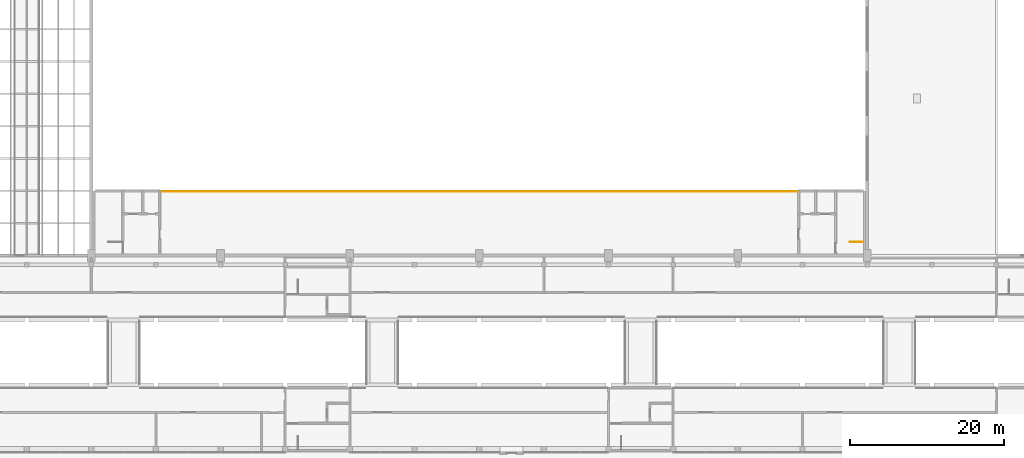
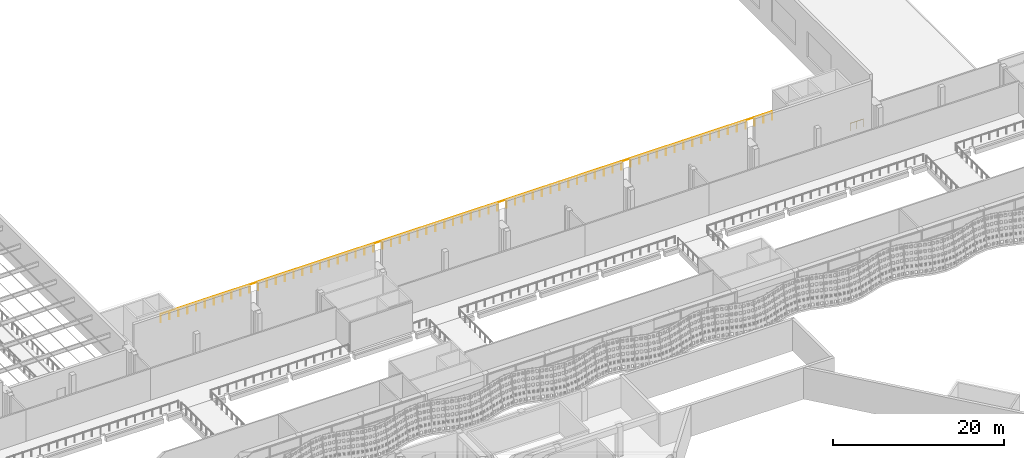
# One storey, part 153 of 162: 2 railings.
"""IFC4 building model written with IfcOpenShell, lengths in metres."""

from ifc_helpers import new_model, si_unit, direction, frame, origin, origin_2d, place, context, subcontext, project, spatial, circle, extrude, material, type_object, element, save


model = new_model("IFC4")

# Units and contexts
model_context = context("Model", 3, precision=1e-05, world=origin(), true_north=direction((0.0, 1.0)))
body_context = subcontext(model_context, "Body", "Model", "MODEL_VIEW")
ifc_project = project(units=[si_unit("LENGTHUNIT", "METRE"), si_unit("AREAUNIT", "SQUARE_METRE"), si_unit("VOLUMEUNIT", "CUBIC_METRE"), si_unit("PLANEANGLEUNIT", "RADIAN"), si_unit("MASSUNIT", "GRAM", prefix="KILO")], contexts=[model_context])

# Site, building, storey
site_placement = place(None, origin())
site = spatial("IfcSite", under=ifc_project, at=site_placement, CompositionType="ELEMENT")
building_placement = place(site_placement, origin())
building = spatial("IfcBuilding", under=site, at=building_placement, Name="Rain Tree Exposition and Congress Centre", CompositionType="ELEMENT")
storey_placement = place(building_placement, frame((0.0, 0.0, 6.0)))
storey = spatial("IfcBuildingStorey", under=building, at=storey_placement, Name="L01", CompositionType="ELEMENT", Elevation=6.0)

# Railings
ifc_material_1 = material(Name="Steel S355J2H", Category="steel")
railing_type_1 = type_object("IfcRailingType", Name="Gallery guard 1200", PredefinedType="GUARDRAIL", material=ifc_material_1)
railing_1_placement = place(storey_placement, frame((151.824951171875, 109.10009765625, 0.0)))
element("IfcRailing", 1, at=railing_1_placement, inside=storey, type_object=railing_type_1, Name="Gallery guard S", PredefinedType="GUARDRAIL", context=body_context, shape_type="SweptSolid", body=[
    extrude(circle(Radius=0.02392578125, at=origin_2d()), frame((0.0, 0.0, 1.17578125), z_axis=(1.0, 0.0, 0.0), x_axis=(0.0, 1.0, 0.0)), (0.0, 0.0, 1.0), 82.75),
    extrude(circle(Radius=0.02099609375, at=origin_2d()), origin(), (0.0, 0.0, 1.0), 1.15185546875),
    extrude(circle(Radius=0.02099609375, at=origin_2d()), frame((1.19921875, 0.0, 0.0)), (0.0, 0.0, 1.0), 1.15185546875),
    extrude(circle(Radius=0.02099609375, at=origin_2d()), frame((2.3984375, 0.0, 0.0)), (0.0, 0.0, 1.0), 1.15185546875),
    extrude(circle(Radius=0.02099609375, at=origin_2d()), frame((3.597900390625, 0.0, 0.0)), (0.0, 0.0, 1.0), 1.15185546875),
    extrude(circle(Radius=0.02099609375, at=origin_2d()), frame((4.797119140625, 0.0, 0.0)), (0.0, 0.0, 1.0), 1.15185546875),
    extrude(circle(Radius=0.02099609375, at=origin_2d()), frame((5.996337890625, 0.0, 0.0)), (0.0, 0.0, 1.0), 1.15185546875),
    extrude(circle(Radius=0.02099609375, at=origin_2d()), frame((7.195556640625, 0.0, 0.0)), (0.0, 0.0, 1.0), 1.15185546875),
    extrude(circle(Radius=0.02099609375, at=origin_2d()), frame((8.39501953125, 0.0, 0.0)), (0.0, 0.0, 1.0), 1.15185546875),
    extrude(circle(Radius=0.02099609375, at=origin_2d()), frame((9.59423828125, 0.0, 0.0)), (0.0, 0.0, 1.0), 1.15185546875),
    extrude(circle(Radius=0.02099609375, at=origin_2d()), frame((10.79345703125, 0.0, 0.0)), (0.0, 0.0, 1.0), 1.15185546875),
    extrude(circle(Radius=0.02099609375, at=origin_2d()), frame((11.99267578125, 0.0, 0.0)), (0.0, 0.0, 1.0), 1.15185546875),
    extrude(circle(Radius=0.02099609375, at=origin_2d()), frame((13.192138671875, 0.0, 0.0)), (0.0, 0.0, 1.0), 1.15185546875),
    extrude(circle(Radius=0.02099609375, at=origin_2d()), frame((14.391357421875, 0.0, 0.0)), (0.0, 0.0, 1.0), 1.15185546875),
    extrude(circle(Radius=0.02099609375, at=origin_2d()), frame((15.590576171875, 0.0, 0.0)), (0.0, 0.0, 1.0), 1.15185546875),
    extrude(circle(Radius=0.02099609375, at=origin_2d()), frame((16.789794921875, 0.0, 0.0)), (0.0, 0.0, 1.0), 1.15185546875),
    extrude(circle(Radius=0.02099609375, at=origin_2d()), frame((17.989013671875, 0.0, 0.0)), (0.0, 0.0, 1.0), 1.15185546875),
    extrude(circle(Radius=0.02099609375, at=origin_2d()), frame((19.1884765625, 0.0, 0.0)), (0.0, 0.0, 1.0), 1.15185546875),
    extrude(circle(Radius=0.02099609375, at=origin_2d()), frame((20.3876953125, 0.0, 0.0)), (0.0, 0.0, 1.0), 1.15185546875),
    extrude(circle(Radius=0.02099609375, at=origin_2d()), frame((21.5869140625, 0.0, 0.0)), (0.0, 0.0, 1.0), 1.15185546875),
    extrude(circle(Radius=0.02099609375, at=origin_2d()), frame((22.7861328125, 0.0, 0.0)), (0.0, 0.0, 1.0), 1.15185546875),
    extrude(circle(Radius=0.02099609375, at=origin_2d()), frame((23.985595703125, 0.0, 0.0)), (0.0, 0.0, 1.0), 1.15185546875),
    extrude(circle(Radius=0.02099609375, at=origin_2d()), frame((25.184814453125, 0.0, 0.0)), (0.0, 0.0, 1.0), 1.15185546875),
    extrude(circle(Radius=0.02099609375, at=origin_2d()), frame((26.384033203125, 0.0, 0.0)), (0.0, 0.0, 1.0), 1.15185546875),
    extrude(circle(Radius=0.02099609375, at=origin_2d()), frame((27.583251953125, 0.0, 0.0)), (0.0, 0.0, 1.0), 1.15185546875),
    extrude(circle(Radius=0.02099609375, at=origin_2d()), frame((28.78271484375, 0.0, 0.0)), (0.0, 0.0, 1.0), 1.15185546875),
    extrude(circle(Radius=0.02099609375, at=origin_2d()), frame((29.98193359375, 0.0, 0.0)), (0.0, 0.0, 1.0), 1.15185546875),
    extrude(circle(Radius=0.02099609375, at=origin_2d()), frame((31.18115234375, 0.0, 0.0)), (0.0, 0.0, 1.0), 1.15185546875),
    extrude(circle(Radius=0.02099609375, at=origin_2d()), frame((32.38037109375, 0.0, 0.0)), (0.0, 0.0, 1.0), 1.15185546875),
    extrude(circle(Radius=0.02099609375, at=origin_2d()), frame((33.57958984375, 0.0, 0.0)), (0.0, 0.0, 1.0), 1.15185546875),
    extrude(circle(Radius=0.02099609375, at=origin_2d()), frame((34.779052734375, 0.0, 0.0)), (0.0, 0.0, 1.0), 1.15185546875),
    extrude(circle(Radius=0.02099609375, at=origin_2d()), frame((35.978271484375, 0.0, 0.0)), (0.0, 0.0, 1.0), 1.15185546875),
    extrude(circle(Radius=0.02099609375, at=origin_2d()), frame((37.177490234375, 0.0, 0.0)), (0.0, 0.0, 1.0), 1.15185546875),
    extrude(circle(Radius=0.02099609375, at=origin_2d()), frame((38.376708984375, 0.0, 0.0)), (0.0, 0.0, 1.0), 1.15185546875),
    extrude(circle(Radius=0.02099609375, at=origin_2d()), frame((39.576171875, 0.0, 0.0)), (0.0, 0.0, 1.0), 1.15185546875),
    extrude(circle(Radius=0.02099609375, at=origin_2d()), frame((40.775390625, 0.0, 0.0)), (0.0, 0.0, 1.0), 1.15185546875),
    extrude(circle(Radius=0.02099609375, at=origin_2d()), frame((41.974609375, 0.0, 0.0)), (0.0, 0.0, 1.0), 1.15185546875),
    extrude(circle(Radius=0.02099609375, at=origin_2d()), frame((43.173828125, 0.0, 0.0)), (0.0, 0.0, 1.0), 1.15185546875),
    extrude(circle(Radius=0.02099609375, at=origin_2d()), frame((44.373291015625, 0.0, 0.0)), (0.0, 0.0, 1.0), 1.15185546875),
    extrude(circle(Radius=0.02099609375, at=origin_2d()), frame((45.572509765625, 0.0, 0.0)), (0.0, 0.0, 1.0), 1.15185546875),
    extrude(circle(Radius=0.02099609375, at=origin_2d()), frame((46.771728515625, 0.0, 0.0)), (0.0, 0.0, 1.0), 1.15185546875),
    extrude(circle(Radius=0.02099609375, at=origin_2d()), frame((47.970947265625, 0.0, 0.0)), (0.0, 0.0, 1.0), 1.15185546875),
    extrude(circle(Radius=0.02099609375, at=origin_2d()), frame((49.17041015625, 0.0, 0.0)), (0.0, 0.0, 1.0), 1.15185546875),
    extrude(circle(Radius=0.02099609375, at=origin_2d()), frame((50.36962890625, 0.0, 0.0)), (0.0, 0.0, 1.0), 1.15185546875),
    extrude(circle(Radius=0.02099609375, at=origin_2d()), frame((51.56884765625, 0.0, 0.0)), (0.0, 0.0, 1.0), 1.15185546875),
    extrude(circle(Radius=0.02099609375, at=origin_2d()), frame((52.76806640625, 0.0, 0.0)), (0.0, 0.0, 1.0), 1.15185546875),
    extrude(circle(Radius=0.02099609375, at=origin_2d()), frame((53.96728515625, 0.0, 0.0)), (0.0, 0.0, 1.0), 1.15185546875),
    extrude(circle(Radius=0.02099609375, at=origin_2d()), frame((55.166748046875, 0.0, 0.0)), (0.0, 0.0, 1.0), 1.15185546875),
    extrude(circle(Radius=0.02099609375, at=origin_2d()), frame((56.365966796875, 0.0, 0.0)), (0.0, 0.0, 1.0), 1.15185546875),
    extrude(circle(Radius=0.02099609375, at=origin_2d()), frame((57.565185546875, 0.0, 0.0)), (0.0, 0.0, 1.0), 1.15185546875),
    extrude(circle(Radius=0.02099609375, at=origin_2d()), frame((58.764404296875, 0.0, 0.0)), (0.0, 0.0, 1.0), 1.15185546875),
    extrude(circle(Radius=0.02099609375, at=origin_2d()), frame((59.9638671875, 0.0, 0.0)), (0.0, 0.0, 1.0), 1.15185546875),
    extrude(circle(Radius=0.02099609375, at=origin_2d()), frame((61.1630859375, 0.0, 0.0)), (0.0, 0.0, 1.0), 1.15185546875),
    extrude(circle(Radius=0.02099609375, at=origin_2d()), frame((62.3623046875, 0.0, 0.0)), (0.0, 0.0, 1.0), 1.15185546875),
    extrude(circle(Radius=0.02099609375, at=origin_2d()), frame((63.5615234375, 0.0, 0.0)), (0.0, 0.0, 1.0), 1.15185546875),
    extrude(circle(Radius=0.02099609375, at=origin_2d()), frame((64.760986328125, 0.0, 0.0)), (0.0, 0.0, 1.0), 1.15185546875),
    extrude(circle(Radius=0.02099609375, at=origin_2d()), frame((65.960205078125, 0.0, 0.0)), (0.0, 0.0, 1.0), 1.15185546875),
    extrude(circle(Radius=0.02099609375, at=origin_2d()), frame((67.159423828125, 0.0, 0.0)), (0.0, 0.0, 1.0), 1.15185546875),
    extrude(circle(Radius=0.02099609375, at=origin_2d()), frame((68.358642578125, 0.0, 0.0)), (0.0, 0.0, 1.0), 1.15185546875),
    extrude(circle(Radius=0.02099609375, at=origin_2d()), frame((69.557861328125, 0.0, 0.0)), (0.0, 0.0, 1.0), 1.15185546875),
    extrude(circle(Radius=0.02099609375, at=origin_2d()), frame((70.75732421875, 0.0, 0.0)), (0.0, 0.0, 1.0), 1.15185546875),
    extrude(circle(Radius=0.02099609375, at=origin_2d()), frame((71.95654296875, 0.0, 0.0)), (0.0, 0.0, 1.0), 1.15185546875),
    extrude(circle(Radius=0.02099609375, at=origin_2d()), frame((73.15576171875, 0.0, 0.0)), (0.0, 0.0, 1.0), 1.15185546875),
    extrude(circle(Radius=0.02099609375, at=origin_2d()), frame((74.35498046875, 0.0, 0.0)), (0.0, 0.0, 1.0), 1.15185546875),
    extrude(circle(Radius=0.02099609375, at=origin_2d()), frame((75.554443359375, 0.0, 0.0)), (0.0, 0.0, 1.0), 1.15185546875),
    extrude(circle(Radius=0.02099609375, at=origin_2d()), frame((76.753662109375, 0.0, 0.0)), (0.0, 0.0, 1.0), 1.15185546875),
    extrude(circle(Radius=0.02099609375, at=origin_2d()), frame((77.952880859375, 0.0, 0.0)), (0.0, 0.0, 1.0), 1.15185546875),
    extrude(circle(Radius=0.02099609375, at=origin_2d()), frame((79.152099609375, 0.0, 0.0)), (0.0, 0.0, 1.0), 1.15185546875),
    extrude(circle(Radius=0.02099609375, at=origin_2d()), frame((80.3515625, 0.0, 0.0)), (0.0, 0.0, 1.0), 1.15185546875),
    extrude(circle(Radius=0.02099609375, at=origin_2d()), frame((81.55078125, 0.0, 0.0)), (0.0, 0.0, 1.0), 1.15185546875),
    extrude(circle(Radius=0.02099609375, at=origin_2d()), frame((82.75, 0.0, 0.0)), (0.0, 0.0, 1.0), 1.15185546875),
])
ifc_material_2 = material(Name="Steel S355J2H", Category="steel")
railing_type_2 = type_object("IfcRailingType", Name="Stair guard 1100", PredefinedType="GUARDRAIL", material=ifc_material_2)
railing_2_placement = place(storey_placement, frame((243.10009765625, 102.550048828125, 0.0)))
element("IfcRailing", 2, at=railing_2_placement, inside=storey, type_object=railing_type_2, Name="L01 ST-H6 top well guard 1", PredefinedType="GUARDRAIL", context=body_context, shape_type="SweptSolid", body=[
    extrude(circle(Radius=0.02392578125, at=origin_2d()), frame((0.0, 0.0, 1.076171875), z_axis=(-1.0, 0.0, 0.0), x_axis=(0.0, -1.0, 0.0)), (0.0, 0.0, 1.0), 1.75),
    extrude(circle(Radius=0.02099609375, at=origin_2d()), origin(), (0.0, 0.0, 1.0), 1.052001953125),
    extrude(circle(Radius=0.02099609375, at=origin_2d()), frame((-0.875, 0.0, 0.0)), (0.0, 0.0, 1.0), 1.052001953125),
    extrude(circle(Radius=0.02099609375, at=origin_2d()), frame((-1.75, 0.0, 0.0)), (0.0, 0.0, 1.0), 1.052001953125),
])

save(model, "model.ifc")
